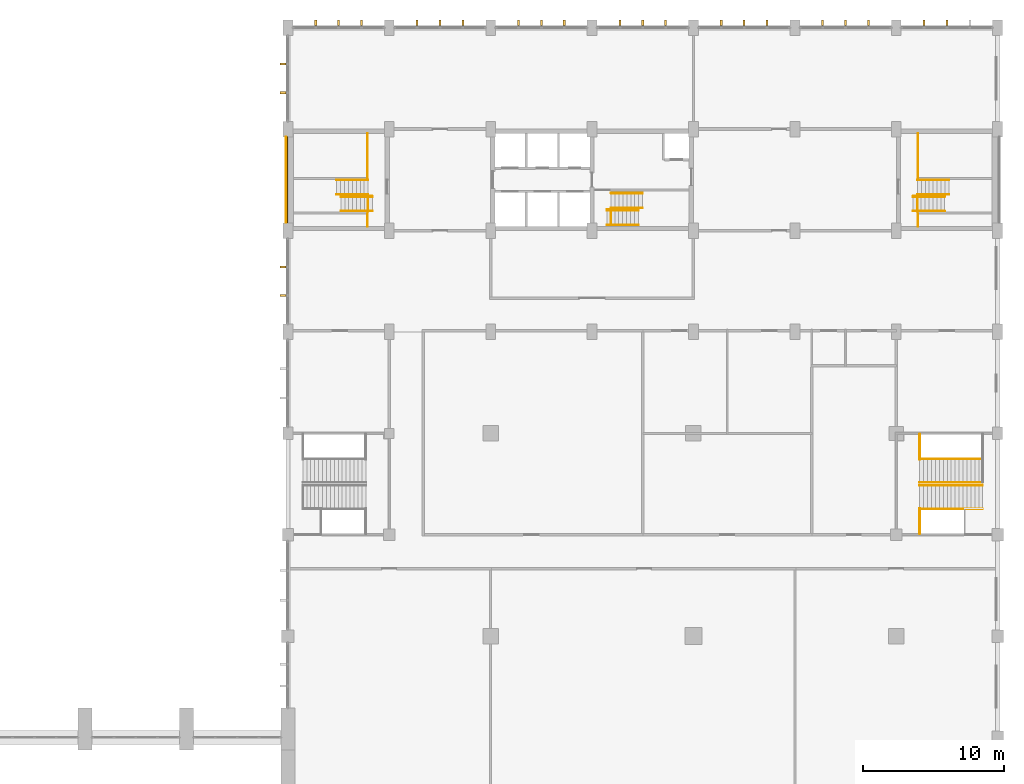
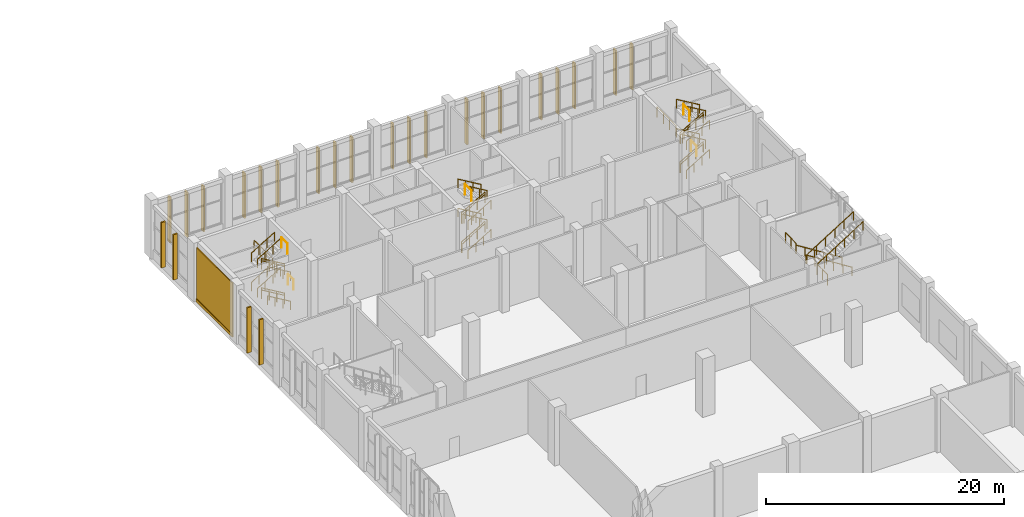
# One storey, part 43 of 44: 43 railings, 26 coverings.
"""IFC4 building model written with IfcOpenShell, lengths in metres."""

from ifc_helpers import new_model, si_unit, direction, frame, frame_2d, origin, origin_2d, place, context, subcontext, project, spatial, polyline, rectangle, circle, outline, extrude, material, layer, layer_set, type_object, element, save


model = new_model("IFC4")

# Units and contexts
model_context = context("Model", 3, precision=1e-05, world=origin(), true_north=direction((0.0, 1.0)))
body_context = subcontext(model_context, "Body", "Model", "MODEL_VIEW")
ifc_project = project(units=[si_unit("LENGTHUNIT", "METRE"), si_unit("AREAUNIT", "SQUARE_METRE"), si_unit("VOLUMEUNIT", "CUBIC_METRE"), si_unit("PLANEANGLEUNIT", "RADIAN"), si_unit("MASSUNIT", "GRAM", prefix="KILO")], contexts=[model_context])

# Site, building, storey
site_placement = place(None, origin())
site = spatial("IfcSite", under=ifc_project, at=site_placement, CompositionType="ELEMENT")
building_placement = place(site_placement, origin())
building = spatial("IfcBuilding", under=site, at=building_placement, Name="Vermilion Court Aquatics Centre", CompositionType="ELEMENT")
storey_placement = place(building_placement, frame((0.0, 0.0, 6.0)))
storey = spatial("IfcBuildingStorey", under=building, at=storey_placement, Name="L01", CompositionType="ELEMENT", Elevation=6.0)

# Coverings
ifc_material_1 = material(Name="Brick masonry", Category="masonry")
ifc_layer_1 = layer(ifc_material_1, 0.06005859375)
ifc_layer_set_1 = layer_set([ifc_layer_1], Name="North block band course 60")
covering_type_1 = type_object("IfcCoveringType", Name="North block band course 60", PredefinedType="CLADDING", material=ifc_layer_set_1)
covering_1_placement = place(storey_placement, origin())
element("IfcCovering", 1, at=covering_1_placement, inside=storey, type_object=covering_type_1, Name="North block band course west end L01", PredefinedType="CLADDING", context=body_context, shape_type="SweptSolid", body=[
    extrude(outline(polyline([(143.837890625, 101.35009765625), (143.89794921875, 101.35009765625), (143.89794921875, 107.449951171875), (143.837890625, 107.449951171875), (143.837890625, 101.35009765625)])), origin(), (0.0, 0.0, 1.0), 0.300048828125),
])
ifc_material_2 = material(Name="Brick masonry", Category="masonry")
ifc_layer_2 = layer(ifc_material_2, 0.10205078125)
ifc_layer_set_2 = layer_set([ifc_layer_2], Name="North block brick facing 102")
covering_type_2 = type_object("IfcCoveringType", Name="North block brick facing 102", PredefinedType="CLADDING", material=ifc_layer_set_2)
covering_2_placement = place(storey_placement, origin())
element("IfcCovering", 2, at=covering_2_placement, inside=storey, type_object=covering_type_2, Name="North block brick facing west end 4", PredefinedType="CLADDING", context=body_context, shape_type="SweptSolid", body=[
    extrude(outline(polyline([(143.89794921875, 101.35009765625), (144.0, 101.35009765625), (144.0, 107.449951171875), (143.89794921875, 107.449951171875), (143.89794921875, 101.35009765625)])), origin(), (0.0, 0.0, 1.0), 5.5),
])

# Railings
ifc_material_3 = material(Name="Steel ASTM A992 Grade 50", Category="steel")
railing_type_1 = type_object("IfcRailingType", Name="North block stair guard 1100", PredefinedType="GUARDRAIL", material=ifc_material_3)
for number, where, name in (
    (3, (150.0, 103.235107421875, 0.166748046875), "Stair 1 guard well L01"),
    (4, (150.0, 103.235107421875, 3.166748046875), "Stair 1 guard well L01"),
):
    element("IfcRailing", number, at=place(storey_placement, frame(where)), inside=storey, type_object=railing_type_1, Name=name, PredefinedType="GUARDRAIL", context=body_context, shape_type="SweptSolid", body=[
        extrude(circle(Radius=0.02392578125, at=origin_2d()), frame((0.0, 0.0, 1.076171875), z_axis=(-0.859305625298, 0.0, 0.511462454469), x_axis=(0.0, -1.0, 0.0)), (0.0, 0.0, 1.0), 2.606689453125),
        extrude(circle(Radius=0.02099609375, at=origin_2d()), origin(), (0.0, 0.0, 1.0), 1.052001953125),
        extrude(circle(Radius=0.02099609375, at=origin_2d()), frame((-0.74658203125, 0.0, 0.4443359375)), (0.0, 0.0, 1.0), 1.052001953125),
        extrude(circle(Radius=0.02099609375, at=origin_2d()), frame((-1.493408203125, 0.0, 0.888916015625)), (0.0, 0.0, 1.0), 1.052001953125),
        extrude(circle(Radius=0.02099609375, at=origin_2d()), frame((-2.239990234375, 0.0, 1.333251953125)), (0.0, 0.0, 1.0), 1.052001953125),
    ])
railing_1_placement = place(storey_placement, frame((149.699951171875, 103.22998046875, 6.0)))
element("IfcRailing", 5, at=railing_1_placement, inside=storey, type_object=railing_type_1, Name="Stair 1 floor edge guard L01", PredefinedType="GUARDRAIL", context=body_context, shape_type="SweptSolid", body=[
    extrude(circle(Radius=0.02392578125, at=origin_2d()), frame((0.0, 0.0, 1.076171875), z_axis=(0.0, -1.0, 0.0), x_axis=(1.0, 0.0, 0.0)), (0.0, 0.0, 1.0), 1.070068359375),
    extrude(circle(Radius=0.02099609375, at=origin_2d()), origin(), (0.0, 0.0, 1.0), 1.052001953125),
    extrude(circle(Radius=0.02099609375, at=origin_2d()), frame((0.0, -1.070068359375, 0.0)), (0.0, 0.0, 1.0), 1.052001953125),
])
railing_2_placement = place(storey_placement, frame((149.64990234375, 101.10009765625, 3.0)))
element("IfcRailing", 6, at=railing_2_placement, inside=storey, type_object=railing_type_1, Name="Stair 1 guard landing 1 L01", PredefinedType="GUARDRAIL", context=body_context, shape_type="SweptSolid", body=[
    extrude(circle(Radius=0.02392578125, at=origin_2d()), frame((0.0, 0.0, 1.076171875), z_axis=(0.0, 1.0, 0.0), x_axis=(-1.0, 0.0, 0.0)), (0.0, 0.0, 1.0), 0.8798828125),
    extrude(circle(Radius=0.02099609375, at=origin_2d()), origin(), (0.0, 0.0, 1.0), 1.052001953125),
    extrude(circle(Radius=0.02099609375, at=origin_2d()), frame((0.0, 0.8798828125, 0.0)), (0.0, 0.0, 1.0), 1.052001953125),
])
railing_3_placement = place(storey_placement, frame((149.64990234375, 104.580078125, 3.0)))
element("IfcRailing", 7, at=railing_3_placement, inside=storey, type_object=railing_type_1, Name="Stair 1 guard landing 2 L01", PredefinedType="GUARDRAIL", context=body_context, shape_type="SweptSolid", body=[
    extrude(circle(Radius=0.02392578125, at=origin_2d()), frame((0.0, 0.0, 1.076171875), z_axis=(0.0, 1.0, 0.0), x_axis=(-1.0, 0.0, 0.0)), (0.0, 0.0, 1.0), 3.119873046875),
    extrude(circle(Radius=0.02099609375, at=origin_2d()), origin(), (0.0, 0.0, 1.0), 1.052001953125),
    extrude(circle(Radius=0.02099609375, at=origin_2d()), frame((0.0, 1.0400390625, 0.0)), (0.0, 0.0, 1.0), 1.052001953125),
    extrude(circle(Radius=0.02099609375, at=origin_2d()), frame((0.0, 2.079833984375, 0.0)), (0.0, 0.0, 1.0), 1.052001953125),
    extrude(circle(Radius=0.02099609375, at=origin_2d()), frame((0.0, 3.119873046875, 0.0)), (0.0, 0.0, 1.0), 1.052001953125),
])
for number, where, name in (
    (8, (188.39990234375, 103.235107421875, 0.166748046875), "Stair 2 guard well L01"),
    (9, (188.39990234375, 103.235107421875, 3.166748046875), "Stair 2 guard well L01"),
):
    element("IfcRailing", number, at=place(storey_placement, frame(where)), inside=storey, type_object=railing_type_1, Name=name, PredefinedType="GUARDRAIL", context=body_context, shape_type="SweptSolid", body=[
        extrude(circle(Radius=0.02392578125, at=origin_2d()), frame((0.0, 0.0, 1.076171875), z_axis=(0.859305625298, 0.0, 0.511462454469), x_axis=(0.0, 1.0, 0.0)), (0.0, 0.0, 1.0), 2.606689453125),
        extrude(circle(Radius=0.02099609375, at=origin_2d()), origin(), (0.0, 0.0, 1.0), 1.052001953125),
        extrude(circle(Radius=0.02099609375, at=origin_2d()), frame((0.74658203125, 0.0, 0.4443359375)), (0.0, 0.0, 1.0), 1.052001953125),
        extrude(circle(Radius=0.02099609375, at=origin_2d()), frame((1.493408203125, 0.0, 0.888916015625)), (0.0, 0.0, 1.0), 1.052001953125),
        extrude(circle(Radius=0.02099609375, at=origin_2d()), frame((2.239990234375, 0.0, 1.333251953125)), (0.0, 0.0, 1.0), 1.052001953125),
    ])
railing_4_placement = place(storey_placement, frame((188.699951171875, 103.22998046875, 6.0)))
element("IfcRailing", 10, at=railing_4_placement, inside=storey, type_object=railing_type_1, Name="Stair 2 floor edge guard L01", PredefinedType="GUARDRAIL", context=body_context, shape_type="SweptSolid", body=[
    extrude(circle(Radius=0.02392578125, at=origin_2d()), frame((0.0, 0.0, 1.076171875), z_axis=(0.0, -1.0, 0.0), x_axis=(1.0, 0.0, 0.0)), (0.0, 0.0, 1.0), 1.070068359375),
    extrude(circle(Radius=0.02099609375, at=origin_2d()), origin(), (0.0, 0.0, 1.0), 1.052001953125),
    extrude(circle(Radius=0.02099609375, at=origin_2d()), frame((0.0, -1.070068359375, 0.0)), (0.0, 0.0, 1.0), 1.052001953125),
])
railing_5_placement = place(storey_placement, frame((188.75, 101.10009765625, 3.0)))
element("IfcRailing", 11, at=railing_5_placement, inside=storey, type_object=railing_type_1, Name="Stair 2 guard landing 1 L01", PredefinedType="GUARDRAIL", context=body_context, shape_type="SweptSolid", body=[
    extrude(circle(Radius=0.02392578125, at=origin_2d()), frame((0.0, 0.0, 1.076171875), z_axis=(0.0, 1.0, 0.0), x_axis=(-1.0, 0.0, 0.0)), (0.0, 0.0, 1.0), 0.8798828125),
    extrude(circle(Radius=0.02099609375, at=origin_2d()), origin(), (0.0, 0.0, 1.0), 1.052001953125),
    extrude(circle(Radius=0.02099609375, at=origin_2d()), frame((0.0, 0.8798828125, 0.0)), (0.0, 0.0, 1.0), 1.052001953125),
])
railing_6_placement = place(storey_placement, frame((188.75, 104.580078125, 3.0)))
element("IfcRailing", 12, at=railing_6_placement, inside=storey, type_object=railing_type_1, Name="Stair 2 guard landing 2 L01", PredefinedType="GUARDRAIL", context=body_context, shape_type="SweptSolid", body=[
    extrude(circle(Radius=0.02392578125, at=origin_2d()), frame((0.0, 0.0, 1.076171875), z_axis=(0.0, 1.0, 0.0), x_axis=(-1.0, 0.0, 0.0)), (0.0, 0.0, 1.0), 3.119873046875),
    extrude(circle(Radius=0.02099609375, at=origin_2d()), origin(), (0.0, 0.0, 1.0), 1.052001953125),
    extrude(circle(Radius=0.02099609375, at=origin_2d()), frame((0.0, 1.0400390625, 0.0)), (0.0, 0.0, 1.0), 1.052001953125),
    extrude(circle(Radius=0.02099609375, at=origin_2d()), frame((0.0, 2.079833984375, 0.0)), (0.0, 0.0, 1.0), 1.052001953125),
    extrude(circle(Radius=0.02099609375, at=origin_2d()), frame((0.0, 3.119873046875, 0.0)), (0.0, 0.0, 1.0), 1.052001953125),
])
for number, where, name in (
    (13, (166.64990234375, 102.27490234375, 0.166748046875), "Stair 3 guard well L01"),
    (14, (166.64990234375, 102.27490234375, 3.166748046875), "Stair 3 guard well L01"),
):
    element("IfcRailing", number, at=place(storey_placement, frame(where)), inside=storey, type_object=railing_type_1, Name=name, PredefinedType="GUARDRAIL", context=body_context, shape_type="SweptSolid", body=[
        extrude(circle(Radius=0.02392578125, at=origin_2d()), frame((0.0, 0.0, 1.076171875), z_axis=(0.859305625298, 0.0, 0.511462454469), x_axis=(0.0, 1.0, 0.0)), (0.0, 0.0, 1.0), 2.606689453125),
        extrude(circle(Radius=0.02099609375, at=origin_2d()), origin(), (0.0, 0.0, 1.0), 1.052001953125),
        extrude(circle(Radius=0.02099609375, at=origin_2d()), frame((0.74658203125, 0.0, 0.4443359375)), (0.0, 0.0, 1.0), 1.052001953125),
        extrude(circle(Radius=0.02099609375, at=origin_2d()), frame((1.493408203125, 0.0, 0.888916015625)), (0.0, 0.0, 1.0), 1.052001953125),
        extrude(circle(Radius=0.02099609375, at=origin_2d()), frame((2.239990234375, 0.0, 1.333251953125)), (0.0, 0.0, 1.0), 1.052001953125),
    ])
railing_7_placement = place(storey_placement, frame((166.949951171875, 102.27001953125, 6.0)))
element("IfcRailing", 15, at=railing_7_placement, inside=storey, type_object=railing_type_1, Name="Stair 3 floor edge guard L01", PredefinedType="GUARDRAIL", context=body_context, shape_type="SweptSolid", body=[
    extrude(circle(Radius=0.02392578125, at=origin_2d()), frame((0.0, 0.0, 1.076171875), z_axis=(0.0, -1.0, 0.0), x_axis=(1.0, 0.0, 0.0)), (0.0, 0.0, 1.0), 1.090087890625),
    extrude(circle(Radius=0.02099609375, at=origin_2d()), origin(), (0.0, 0.0, 1.0), 1.052001953125),
    extrude(circle(Radius=0.02099609375, at=origin_2d()), frame((0.0, -1.090087890625, 0.0)), (0.0, 0.0, 1.0), 1.052001953125),
])
ifc_material_4 = material(Name="Steel ASTM A992 Grade 50", Category="steel")
railing_type_2 = type_object("IfcRailingType", Name="North block stair handrail 900", PredefinedType="HANDRAIL", material=ifc_material_4)
for number, where, name in (
    (16, (150.0, 102.179931640625, 0.166748046875), "Stair 1 handrail wall L01"),
    (17, (150.0, 103.18505859375, 0.166748046875), "Stair 1 handrail well L01"),
):
    element("IfcRailing", number, at=place(storey_placement, frame(where)), inside=storey, type_object=railing_type_2, Name=name, PredefinedType="HANDRAIL", context=body_context, shape_type="SweptSolid", body=[
        extrude(circle(Radius=0.02392578125, at=origin_2d()), frame((0.0, 0.0, 0.8759765625), z_axis=(-0.859305625298, 0.0, 0.511462454469), x_axis=(0.0, -1.0, 0.0)), (0.0, 0.0, 1.0), 2.606689453125),
        extrude(circle(Radius=0.02099609375, at=origin_2d()), origin(), (0.0, 0.0, 1.0), 0.851806640625),
        extrude(circle(Radius=0.02099609375, at=origin_2d()), frame((-0.74658203125, 0.0, 0.4443359375)), (0.0, 0.0, 1.0), 0.851806640625),
        extrude(circle(Radius=0.02099609375, at=origin_2d()), frame((-1.493408203125, 0.0, 0.888916015625)), (0.0, 0.0, 1.0), 0.851806640625),
        extrude(circle(Radius=0.02099609375, at=origin_2d()), frame((-2.239990234375, 0.0, 1.333251953125)), (0.0, 0.0, 1.0), 0.851806640625),
    ])
for number, where, name in (
    (18, (147.4599609375, 104.3798828125, 1.666748046875), "Stair 1 handrail wall L01"),
    (19, (147.4599609375, 103.35009765625, 1.666748046875), "Stair 1 handrail well L01"),
):
    element("IfcRailing", number, at=place(storey_placement, frame(where)), inside=storey, type_object=railing_type_2, Name=name, PredefinedType="HANDRAIL", context=body_context, shape_type="SweptSolid", body=[
        extrude(circle(Radius=0.02392578125, at=origin_2d()), frame((0.0, 0.0, 0.8759765625), z_axis=(0.859305625298, 0.0, 0.511462454469), x_axis=(0.0, 1.0, 0.0)), (0.0, 0.0, 1.0), 2.606689453125),
        extrude(circle(Radius=0.02099609375, at=origin_2d()), origin(), (0.0, 0.0, 1.0), 0.851806640625),
        extrude(circle(Radius=0.02099609375, at=origin_2d()), frame((0.74658203125, 0.0, 0.4443359375)), (0.0, 0.0, 1.0), 0.851806640625),
        extrude(circle(Radius=0.02099609375, at=origin_2d()), frame((1.493408203125, 0.0, 0.888916015625)), (0.0, 0.0, 1.0), 0.851806640625),
        extrude(circle(Radius=0.02099609375, at=origin_2d()), frame((2.239990234375, 0.0, 1.333251953125)), (0.0, 0.0, 1.0), 0.851806640625),
    ])
for number, where, name in (
    (20, (150.0, 102.179931640625, 3.166748046875), "Stair 1 handrail wall L01"),
    (21, (150.0, 103.18505859375, 3.166748046875), "Stair 1 handrail well L01"),
):
    element("IfcRailing", number, at=place(storey_placement, frame(where)), inside=storey, type_object=railing_type_2, Name=name, PredefinedType="HANDRAIL", context=body_context, shape_type="SweptSolid", body=[
        extrude(circle(Radius=0.02392578125, at=origin_2d()), frame((0.0, 0.0, 0.8759765625), z_axis=(-0.859305625298, 0.0, 0.511462454469), x_axis=(0.0, -1.0, 0.0)), (0.0, 0.0, 1.0), 2.606689453125),
        extrude(circle(Radius=0.02099609375, at=origin_2d()), origin(), (0.0, 0.0, 1.0), 0.851806640625),
        extrude(circle(Radius=0.02099609375, at=origin_2d()), frame((-0.74658203125, 0.0, 0.4443359375)), (0.0, 0.0, 1.0), 0.851806640625),
        extrude(circle(Radius=0.02099609375, at=origin_2d()), frame((-1.493408203125, 0.0, 0.888916015625)), (0.0, 0.0, 1.0), 0.851806640625),
        extrude(circle(Radius=0.02099609375, at=origin_2d()), frame((-2.239990234375, 0.0, 1.333251953125)), (0.0, 0.0, 1.0), 0.851806640625),
    ])
for number, where, name in (
    (22, (147.4599609375, 104.3798828125, 4.666748046875), "Stair 1 handrail wall L01"),
    (23, (147.4599609375, 103.35009765625, 4.666748046875), "Stair 1 handrail well L01"),
    (24, (188.39990234375, 102.179931640625, 0.166748046875), "Stair 2 handrail wall L01"),
    (25, (188.39990234375, 103.18505859375, 0.166748046875), "Stair 2 handrail well L01"),
):
    element("IfcRailing", number, at=place(storey_placement, frame(where)), inside=storey, type_object=railing_type_2, Name=name, PredefinedType="HANDRAIL", context=body_context, shape_type="SweptSolid", body=[
        extrude(circle(Radius=0.02392578125, at=origin_2d()), frame((0.0, 0.0, 0.8759765625), z_axis=(0.859305625298, 0.0, 0.511462454469), x_axis=(0.0, 1.0, 0.0)), (0.0, 0.0, 1.0), 2.606689453125),
        extrude(circle(Radius=0.02099609375, at=origin_2d()), origin(), (0.0, 0.0, 1.0), 0.851806640625),
        extrude(circle(Radius=0.02099609375, at=origin_2d()), frame((0.74658203125, 0.0, 0.4443359375)), (0.0, 0.0, 1.0), 0.851806640625),
        extrude(circle(Radius=0.02099609375, at=origin_2d()), frame((1.493408203125, 0.0, 0.888916015625)), (0.0, 0.0, 1.0), 0.851806640625),
        extrude(circle(Radius=0.02099609375, at=origin_2d()), frame((2.239990234375, 0.0, 1.333251953125)), (0.0, 0.0, 1.0), 0.851806640625),
    ])
for number, where, name in (
    (26, (190.93994140625, 104.3798828125, 1.666748046875), "Stair 2 handrail wall L01"),
    (27, (190.93994140625, 103.35009765625, 1.666748046875), "Stair 2 handrail well L01"),
):
    element("IfcRailing", number, at=place(storey_placement, frame(where)), inside=storey, type_object=railing_type_2, Name=name, PredefinedType="HANDRAIL", context=body_context, shape_type="SweptSolid", body=[
        extrude(circle(Radius=0.02392578125, at=origin_2d()), frame((0.0, 0.0, 0.8759765625), z_axis=(-0.859305625298, 0.0, 0.511462454469), x_axis=(0.0, -1.0, 0.0)), (0.0, 0.0, 1.0), 2.606689453125),
        extrude(circle(Radius=0.02099609375, at=origin_2d()), origin(), (0.0, 0.0, 1.0), 0.851806640625),
        extrude(circle(Radius=0.02099609375, at=origin_2d()), frame((-0.74658203125, 0.0, 0.4443359375)), (0.0, 0.0, 1.0), 0.851806640625),
        extrude(circle(Radius=0.02099609375, at=origin_2d()), frame((-1.493408203125, 0.0, 0.888916015625)), (0.0, 0.0, 1.0), 0.851806640625),
        extrude(circle(Radius=0.02099609375, at=origin_2d()), frame((-2.239990234375, 0.0, 1.333251953125)), (0.0, 0.0, 1.0), 0.851806640625),
    ])
for number, where, name in (
    (28, (188.39990234375, 102.179931640625, 3.166748046875), "Stair 2 handrail wall L01"),
    (29, (188.39990234375, 103.18505859375, 3.166748046875), "Stair 2 handrail well L01"),
):
    element("IfcRailing", number, at=place(storey_placement, frame(where)), inside=storey, type_object=railing_type_2, Name=name, PredefinedType="HANDRAIL", context=body_context, shape_type="SweptSolid", body=[
        extrude(circle(Radius=0.02392578125, at=origin_2d()), frame((0.0, 0.0, 0.8759765625), z_axis=(0.859305625298, 0.0, 0.511462454469), x_axis=(0.0, 1.0, 0.0)), (0.0, 0.0, 1.0), 2.606689453125),
        extrude(circle(Radius=0.02099609375, at=origin_2d()), origin(), (0.0, 0.0, 1.0), 0.851806640625),
        extrude(circle(Radius=0.02099609375, at=origin_2d()), frame((0.74658203125, 0.0, 0.4443359375)), (0.0, 0.0, 1.0), 0.851806640625),
        extrude(circle(Radius=0.02099609375, at=origin_2d()), frame((1.493408203125, 0.0, 0.888916015625)), (0.0, 0.0, 1.0), 0.851806640625),
        extrude(circle(Radius=0.02099609375, at=origin_2d()), frame((2.239990234375, 0.0, 1.333251953125)), (0.0, 0.0, 1.0), 0.851806640625),
    ])
for number, where, name in (
    (30, (190.93994140625, 104.3798828125, 4.666748046875), "Stair 2 handrail wall L01"),
    (31, (190.93994140625, 103.35009765625, 4.666748046875), "Stair 2 handrail well L01"),
):
    element("IfcRailing", number, at=place(storey_placement, frame(where)), inside=storey, type_object=railing_type_2, Name=name, PredefinedType="HANDRAIL", context=body_context, shape_type="SweptSolid", body=[
        extrude(circle(Radius=0.02392578125, at=origin_2d()), frame((0.0, 0.0, 0.8759765625), z_axis=(-0.859305625298, 0.0, 0.511462454469), x_axis=(0.0, -1.0, 0.0)), (0.0, 0.0, 1.0), 2.606689453125),
        extrude(circle(Radius=0.02099609375, at=origin_2d()), origin(), (0.0, 0.0, 1.0), 0.851806640625),
        extrude(circle(Radius=0.02099609375, at=origin_2d()), frame((-0.74658203125, 0.0, 0.4443359375)), (0.0, 0.0, 1.0), 0.851806640625),
        extrude(circle(Radius=0.02099609375, at=origin_2d()), frame((-1.493408203125, 0.0, 0.888916015625)), (0.0, 0.0, 1.0), 0.851806640625),
        extrude(circle(Radius=0.02099609375, at=origin_2d()), frame((-2.239990234375, 0.0, 1.333251953125)), (0.0, 0.0, 1.0), 0.851806640625),
    ])
for number, where, name in (
    (32, (166.64990234375, 101.199951171875, 0.166748046875), "Stair 3 handrail wall L01"),
    (33, (166.64990234375, 102.22509765625, 0.166748046875), "Stair 3 handrail well L01"),
):
    element("IfcRailing", number, at=place(storey_placement, frame(where)), inside=storey, type_object=railing_type_2, Name=name, PredefinedType="HANDRAIL", context=body_context, shape_type="SweptSolid", body=[
        extrude(circle(Radius=0.02392578125, at=origin_2d()), frame((0.0, 0.0, 0.8759765625), z_axis=(0.859305625298, 0.0, 0.511462454469), x_axis=(0.0, 1.0, 0.0)), (0.0, 0.0, 1.0), 2.606689453125),
        extrude(circle(Radius=0.02099609375, at=origin_2d()), origin(), (0.0, 0.0, 1.0), 0.851806640625),
        extrude(circle(Radius=0.02099609375, at=origin_2d()), frame((0.74658203125, 0.0, 0.4443359375)), (0.0, 0.0, 1.0), 0.851806640625),
        extrude(circle(Radius=0.02099609375, at=origin_2d()), frame((1.493408203125, 0.0, 0.888916015625)), (0.0, 0.0, 1.0), 0.851806640625),
        extrude(circle(Radius=0.02099609375, at=origin_2d()), frame((2.239990234375, 0.0, 1.333251953125)), (0.0, 0.0, 1.0), 0.851806640625),
    ])
for number, where, name in (
    (34, (169.18994140625, 103.449951171875, 1.666748046875), "Stair 3 handrail wall L01"),
    (35, (169.18994140625, 102.39990234375, 1.666748046875), "Stair 3 handrail well L01"),
):
    element("IfcRailing", number, at=place(storey_placement, frame(where)), inside=storey, type_object=railing_type_2, Name=name, PredefinedType="HANDRAIL", context=body_context, shape_type="SweptSolid", body=[
        extrude(circle(Radius=0.02392578125, at=origin_2d()), frame((0.0, 0.0, 0.8759765625), z_axis=(-0.859305625298, 0.0, 0.511462454469), x_axis=(0.0, -1.0, 0.0)), (0.0, 0.0, 1.0), 2.606689453125),
        extrude(circle(Radius=0.02099609375, at=origin_2d()), origin(), (0.0, 0.0, 1.0), 0.851806640625),
        extrude(circle(Radius=0.02099609375, at=origin_2d()), frame((-0.74658203125, 0.0, 0.4443359375)), (0.0, 0.0, 1.0), 0.851806640625),
        extrude(circle(Radius=0.02099609375, at=origin_2d()), frame((-1.493408203125, 0.0, 0.888916015625)), (0.0, 0.0, 1.0), 0.851806640625),
        extrude(circle(Radius=0.02099609375, at=origin_2d()), frame((-2.239990234375, 0.0, 1.333251953125)), (0.0, 0.0, 1.0), 0.851806640625),
    ])
for number, where, name in (
    (36, (166.64990234375, 101.199951171875, 3.166748046875), "Stair 3 handrail wall L01"),
    (37, (166.64990234375, 102.22509765625, 3.166748046875), "Stair 3 handrail well L01"),
):
    element("IfcRailing", number, at=place(storey_placement, frame(where)), inside=storey, type_object=railing_type_2, Name=name, PredefinedType="HANDRAIL", context=body_context, shape_type="SweptSolid", body=[
        extrude(circle(Radius=0.02392578125, at=origin_2d()), frame((0.0, 0.0, 0.8759765625), z_axis=(0.859305625298, 0.0, 0.511462454469), x_axis=(0.0, 1.0, 0.0)), (0.0, 0.0, 1.0), 2.606689453125),
        extrude(circle(Radius=0.02099609375, at=origin_2d()), origin(), (0.0, 0.0, 1.0), 0.851806640625),
        extrude(circle(Radius=0.02099609375, at=origin_2d()), frame((0.74658203125, 0.0, 0.4443359375)), (0.0, 0.0, 1.0), 0.851806640625),
        extrude(circle(Radius=0.02099609375, at=origin_2d()), frame((1.493408203125, 0.0, 0.888916015625)), (0.0, 0.0, 1.0), 0.851806640625),
        extrude(circle(Radius=0.02099609375, at=origin_2d()), frame((2.239990234375, 0.0, 1.333251953125)), (0.0, 0.0, 1.0), 0.851806640625),
    ])
for number, where, name in (
    (38, (169.18994140625, 103.449951171875, 4.666748046875), "Stair 3 handrail wall L01"),
    (39, (169.18994140625, 102.39990234375, 4.666748046875), "Stair 3 handrail well L01"),
):
    element("IfcRailing", number, at=place(storey_placement, frame(where)), inside=storey, type_object=railing_type_2, Name=name, PredefinedType="HANDRAIL", context=body_context, shape_type="SweptSolid", body=[
        extrude(circle(Radius=0.02392578125, at=origin_2d()), frame((0.0, 0.0, 0.8759765625), z_axis=(-0.859305625298, 0.0, 0.511462454469), x_axis=(0.0, -1.0, 0.0)), (0.0, 0.0, 1.0), 2.606689453125),
        extrude(circle(Radius=0.02099609375, at=origin_2d()), origin(), (0.0, 0.0, 1.0), 0.851806640625),
        extrude(circle(Radius=0.02099609375, at=origin_2d()), frame((-0.74658203125, 0.0, 0.4443359375)), (0.0, 0.0, 1.0), 0.851806640625),
        extrude(circle(Radius=0.02099609375, at=origin_2d()), frame((-1.493408203125, 0.0, 0.888916015625)), (0.0, 0.0, 1.0), 0.851806640625),
        extrude(circle(Radius=0.02099609375, at=origin_2d()), frame((-2.239990234375, 0.0, 1.333251953125)), (0.0, 0.0, 1.0), 0.851806640625),
    ])
ifc_material_5 = material(Name="Steel ASTM A992 Grade 50", Category="steel")
railing_type_3 = type_object("IfcRailingType", Name="Podium stair guard 1100", PredefinedType="GUARDRAIL", material=ifc_material_5)
railing_8_placement = place(storey_placement, frame((188.865478515625, 86.33740234375, 3.0)))
element("IfcRailing", 40, at=railing_8_placement, inside=storey, type_object=railing_type_3, Name="Stair guard P4", PredefinedType="GUARDRAIL", context=body_context, shape_type="SweptSolid", body=[
    extrude(circle(Radius=0.02392578125, at=origin_2d()), frame((0.0, 0.0, 1.076171875), z_axis=(0.0, -1.0, 0.0), x_axis=(1.0, 0.0, 0.0)), (0.0, 0.0, 1.0), 1.79736328125),
    extrude(circle(Radius=0.02099609375, at=origin_2d()), origin(), (0.0, 0.0, 1.0), 1.052001953125),
    extrude(circle(Radius=0.02099609375, at=origin_2d()), frame((0.0, -0.898681640625, 0.0)), (0.0, 0.0, 1.0), 1.052001953125),
    extrude(circle(Radius=0.02099609375, at=origin_2d()), frame((0.0, -1.79736328125, 0.0)), (0.0, 0.0, 1.0), 1.052001953125),
])
railing_9_placement = place(storey_placement, frame((188.865478515625, 79.262451171875, 3.0)))
element("IfcRailing", 41, at=railing_9_placement, inside=storey, type_object=railing_type_3, Name="Stair guard P4", PredefinedType="GUARDRAIL", context=body_context, shape_type="SweptSolid", body=[
    extrude(circle(Radius=0.02392578125, at=origin_2d()), frame((0.0, 0.0, 1.076171875), z_axis=(0.0, 1.0, 0.0), x_axis=(-1.0, 0.0, 0.0)), (0.0, 0.0, 1.0), 1.797607421875),
    extrude(circle(Radius=0.02099609375, at=origin_2d()), origin(), (0.0, 0.0, 1.0), 1.052001953125),
    extrude(circle(Radius=0.02099609375, at=origin_2d()), frame((0.0, 0.89892578125, 0.0)), (0.0, 0.0, 1.0), 1.052001953125),
    extrude(circle(Radius=0.02099609375, at=origin_2d()), frame((0.0, 1.797607421875, 0.0)), (0.0, 0.0, 1.0), 1.052001953125),
])
ifc_material_6 = material(Name="Steel ASTM A992 Grade 50", Category="steel")
railing_type_4 = type_object("IfcRailingType", Name="Podium stair handrail 900", PredefinedType="HANDRAIL", material=ifc_material_6)
for number, where, name in (
    (42, (193.33740234375, 84.570068359375, 0.176513671875), "Stair handrail P4"),
    (43, (193.33740234375, 82.909912109375, 0.176513671875), "Stair handrail P4"),
):
    element("IfcRailing", number, at=place(storey_placement, frame(where)), inside=storey, type_object=railing_type_4, Name=name, PredefinedType="HANDRAIL", context=body_context, shape_type="SweptSolid", body=[
        extrude(circle(Radius=0.02392578125, at=origin_2d()), frame((0.0, 0.0, 0.8759765625), z_axis=(-0.845564583299, 0.0, 0.533873145485), x_axis=(0.0, -1.0, 0.0)), (0.0, 0.0, 1.0), 5.28857421875),
        extrude(circle(Radius=0.02099609375, at=origin_2d()), origin(), (0.0, 0.0, 1.0), 0.851806640625),
        extrude(circle(Radius=0.02099609375, at=origin_2d()), frame((-0.894287109375, 0.0, 0.564697265625)), (0.0, 0.0, 1.0), 0.851806640625),
        extrude(circle(Radius=0.02099609375, at=origin_2d()), frame((-1.788818359375, 0.0, 1.12939453125)), (0.0, 0.0, 1.0), 0.851806640625),
        extrude(circle(Radius=0.02099609375, at=origin_2d()), frame((-2.68310546875, 0.0, 1.694091796875)), (0.0, 0.0, 1.0), 0.851806640625),
        extrude(circle(Radius=0.02099609375, at=origin_2d()), frame((-3.57763671875, 0.0, 2.2587890625)), (0.0, 0.0, 1.0), 0.851806640625),
        extrude(circle(Radius=0.02099609375, at=origin_2d()), frame((-4.471923828125, 0.0, 2.823486328125)), (0.0, 0.0, 1.0), 0.851806640625),
    ])
for number, where, name in (
    (44, (188.865478515625, 82.68994140625, 3.176513671875), "Stair handrail P4"),
    (45, (188.865478515625, 81.030029296875, 3.176513671875), "Stair handrail P4"),
):
    element("IfcRailing", number, at=place(storey_placement, frame(where)), inside=storey, type_object=railing_type_4, Name=name, PredefinedType="HANDRAIL", context=body_context, shape_type="SweptSolid", body=[
        extrude(circle(Radius=0.02392578125, at=origin_2d()), frame((0.0, 0.0, 0.8759765625), z_axis=(0.845564583299, 0.0, 0.533873145485), x_axis=(0.0, 1.0, 0.0)), (0.0, 0.0, 1.0), 5.28857421875),
        extrude(circle(Radius=0.02099609375, at=origin_2d()), origin(), (0.0, 0.0, 1.0), 0.851806640625),
        extrude(circle(Radius=0.02099609375, at=origin_2d()), frame((0.894287109375, 0.0, 0.564697265625)), (0.0, 0.0, 1.0), 0.851806640625),
        extrude(circle(Radius=0.02099609375, at=origin_2d()), frame((1.788818359375, 0.0, 1.12939453125)), (0.0, 0.0, 1.0), 0.851806640625),
        extrude(circle(Radius=0.02099609375, at=origin_2d()), frame((2.68310546875, 0.0, 1.694091796875)), (0.0, 0.0, 1.0), 0.851806640625),
        extrude(circle(Radius=0.02099609375, at=origin_2d()), frame((3.57763671875, 0.0, 2.2587890625)), (0.0, 0.0, 1.0), 0.851806640625),
        extrude(circle(Radius=0.02099609375, at=origin_2d()), frame((4.471923828125, 0.0, 2.823486328125)), (0.0, 0.0, 1.0), 0.851806640625),
    ])

# Coverings
ifc_material_7 = material(Name="Terracotta cladding", Category="masonry")
ifc_layer_3 = layer(ifc_material_7, 0.14990234375)
ifc_layer_set_3 = layer_set([ifc_layer_3], Name="Podium terracotta sunscreen fin 150")
covering_type_3 = type_object("IfcCoveringType", Name="Podium terracotta sunscreen fin 150", PredefinedType="CLADDING", material=ifc_layer_set_3)
for number, where, z_axis, x_axis, name in (
    (46, (145.97509765625, 115.35009765625, 0.449951171875), (0.0, 0.0, 1.0), (0.0, 1.0, 0.0), "Sunscreen fin L01"),
    (47, (147.60009765625, 115.35009765625, 0.449951171875), (0.0, 0.0, 1.0), (0.0, 1.0, 0.0), "Sunscreen fin L01"),
    (48, (149.22509765625, 115.35009765625, 0.449951171875), (0.0, 0.0, 1.0), (0.0, 1.0, 0.0), "Sunscreen fin L01"),
    (49, (153.175048828125, 115.35009765625, 0.449951171875), (0.0, 0.0, 1.0), (0.0, 1.0, 0.0), "Sunscreen fin L01"),
    (50, (154.800048828125, 115.35009765625, 0.449951171875), (0.0, 0.0, 1.0), (0.0, 1.0, 0.0), "Sunscreen fin L01"),
    (51, (156.425048828125, 115.35009765625, 0.449951171875), (0.0, 0.0, 1.0), (0.0, 1.0, 0.0), "Sunscreen fin L01"),
    (52, (160.375, 115.35009765625, 0.449951171875), (0.0, 0.0, 1.0), (0.0, 1.0, 0.0), "Sunscreen fin L01"),
    (53, (162.0, 115.35009765625, 0.449951171875), (0.0, 0.0, 1.0), (0.0, 1.0, 0.0), "Sunscreen fin L01"),
    (54, (163.625, 115.35009765625, 0.449951171875), (0.0, 0.0, 1.0), (0.0, 1.0, 0.0), "Sunscreen fin L01"),
    (55, (167.574951171875, 115.35009765625, 0.449951171875), (0.0, 0.0, 1.0), (0.0, 1.0, 0.0), "Sunscreen fin L01"),
    (56, (169.199951171875, 115.35009765625, 0.449951171875), (0.0, 0.0, 1.0), (0.0, 1.0, 0.0), "Sunscreen fin L01"),
    (57, (170.824951171875, 115.35009765625, 0.449951171875), (0.0, 0.0, 1.0), (0.0, 1.0, 0.0), "Sunscreen fin L01"),
    (58, (174.77490234375, 115.35009765625, 0.449951171875), (0.0, 0.0, 1.0), (0.0, 1.0, 0.0), "Sunscreen fin L01"),
    (59, (176.39990234375, 115.35009765625, 0.449951171875), (0.0, 0.0, 1.0), (0.0, 1.0, 0.0), "Sunscreen fin L01"),
    (60, (178.02490234375, 115.35009765625, 0.449951171875), (0.0, 0.0, 1.0), (0.0, 1.0, 0.0), "Sunscreen fin L01"),
    (61, (181.97509765625, 115.35009765625, 0.449951171875), (0.0, 0.0, 1.0), (0.0, 1.0, 0.0), "Sunscreen fin L01"),
    (62, (183.60009765625, 115.35009765625, 0.449951171875), (0.0, 0.0, 1.0), (0.0, 1.0, 0.0), "Sunscreen fin L01"),
    (63, (185.22509765625, 115.35009765625, 0.449951171875), (0.0, 0.0, 1.0), (0.0, 1.0, 0.0), "Sunscreen fin L01"),
    (64, (189.175048828125, 115.35009765625, 0.449951171875), (0.0, 0.0, 1.0), (0.0, 1.0, 0.0), "Sunscreen fin L01"),
    (65, (190.800048828125, 115.35009765625, 0.449951171875), (0.0, 0.0, 1.0), (0.0, 1.0, 0.0), "Sunscreen fin L01"),
):
    element("IfcCovering", number, at=place(storey_placement, frame(where, z_axis=z_axis, x_axis=x_axis)), inside=storey, type_object=covering_type_3, Name=name, PredefinedType="CLADDING", context=body_context, shape_type="SweptSolid", body=[
        extrude(rectangle(XDim=0.39990234375, YDim=0.14990234375, at=frame_2d((0.199951171875, 0.0))), origin(), (0.0, 0.0, 1.0), 4.650146484375),
    ])
for number, where, z_axis, x_axis, name in (
    (66, (143.85009765625, 96.183349609375, 0.449951171875), (0.0, 0.0, 1.0), (-1.0, 0.0, 0.0), "Sunscreen fin L01"),
    (67, (143.85009765625, 98.216796875, 0.449951171875), (0.0, 0.0, 1.0), (-1.0, 0.0, 0.0), "Sunscreen fin L01"),
    (68, (143.85009765625, 110.583251953125, 0.449951171875), (0.0, 0.0, 1.0), (-1.0, 0.0, 0.0), "Sunscreen fin L01"),
    (69, (143.85009765625, 112.61669921875, 0.449951171875), (0.0, 0.0, 1.0), (-1.0, 0.0, 0.0), "Sunscreen fin L01"),
):
    element("IfcCovering", number, at=place(storey_placement, frame(where, z_axis=z_axis, x_axis=x_axis)), inside=storey, type_object=covering_type_3, Name=name, PredefinedType="CLADDING", context=body_context, shape_type="SweptSolid", body=[
        extrude(rectangle(XDim=0.400146484375, YDim=0.14990234375, at=frame_2d((0.2001953125, 0.0))), origin(), (0.0, 0.0, 1.0), 4.650146484375),
    ])

save(model, "model.ifc")
